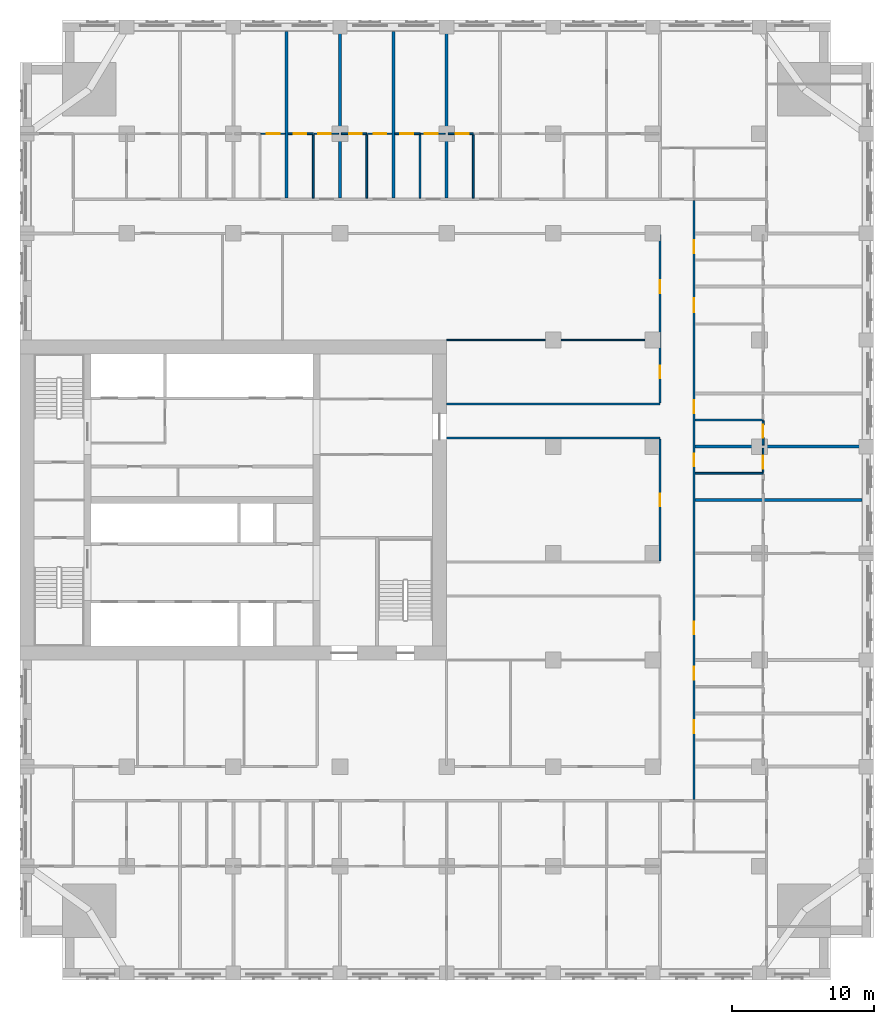
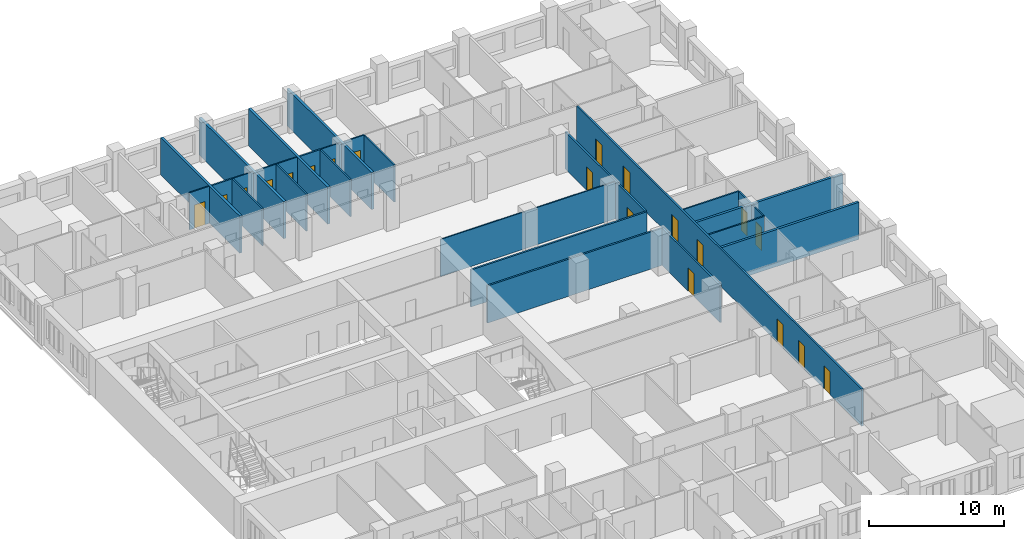
# One storey, part 10 of 15: 28 walls, 20 doors, 20 openings.
"""IFC4 building model written with IfcOpenShell, lengths in metres."""

from ifc_helpers import new_model, si_unit, direction, frame, frame_2d, origin, place, context, subcontext, project, spatial, rectangle, extrude, material, layer, layer_set, type_object, element, fill, save


model = new_model("IFC4")

# Units and contexts
model_context = context("Model", 3, precision=1e-05, world=origin(), true_north=direction((0.0, 1.0)))
body_context = subcontext(model_context, "Body", "Model", "MODEL_VIEW")
ifc_project = project(units=[si_unit("LENGTHUNIT", "METRE"), si_unit("AREAUNIT", "SQUARE_METRE"), si_unit("VOLUMEUNIT", "CUBIC_METRE"), si_unit("PLANEANGLEUNIT", "RADIAN"), si_unit("MASSUNIT", "GRAM", prefix="KILO")], contexts=[model_context])

# Site, building, storey
site_placement = place(None, origin())
site = spatial("IfcSite", under=ifc_project, at=site_placement, CompositionType="ELEMENT")
building_placement = place(site_placement, origin())
building = spatial("IfcBuilding", under=site, at=building_placement, Name="Tamorin Gate", CompositionType="ELEMENT")
storey_placement = place(building_placement, frame((0.0, 0.0, 82.699951171875)))
storey = spatial("IfcBuildingStorey", under=building, at=storey_placement, Name="L19", CompositionType="ELEMENT", Elevation=82.699951171875)

# Wall, opening, door
ifc_material_1 = material(Name="Gypsum board partition")
ifc_layer_1 = layer(ifc_material_1, 0.14990234375)
ifc_layer_set_1 = layer_set([ifc_layer_1], Name="Corridor wall 150")
wall_type_1 = type_object("IfcWallType", Name="Corridor wall 150", PredefinedType="PARTITIONING", material=ifc_layer_set_1)
wall_1_placement = place(storey_placement, frame((75.0, 66.97509765625, 0.0), z_axis=(0.0, 0.0, 1.0), x_axis=(0.0, 1.0, 0.0)))
wall_1 = element("IfcWall", 1, at=wall_1_placement, inside=storey, type_object=wall_type_1, Name="Corridor wall 150", PredefinedType="PARTITIONING", context=body_context, shape_type="SweptSolid", body=[
    extrude(rectangle(XDim=8.5498046875, YDim=0.14990234375, at=frame_2d((4.27490234375, 0.0))), origin(), (0.0, 0.0, 1.0), 3.35009765625),
])
opening_1_placement = place(wall_1_placement, frame((3.824951171875, 0.0, 0.0)))
opening_1 = element("IfcOpeningElement", 2, at=opening_1_placement, cuts=wall_1, Name="Opening DH6096", PredefinedType="OPENING", context=body_context, shape_type="SweptSolid", body=[
    extrude(rectangle(XDim=0.89990234375, YDim=2.10009765625, at=frame_2d((0.449951171875, 1.050048828125))), frame((0.0, 0.0849609375, 0.0), z_axis=(0.0, -1.0, 0.0), x_axis=(1.0, 0.0, 0.0)), (0.0, 0.0, 1.0), 0.169921875),
])
ifc_material_2 = material(Name="Timber door leaf", Category="wood")
door_type_1 = type_object("IfcDoorType", Name="Door 900 x 2100 FD30S", OperationType="NOTDEFINED", PredefinedType="DOOR", material=ifc_material_2)
door_1_placement = place(opening_1_placement, origin())
door_1 = element("IfcDoor", 3, at=door_1_placement, inside=storey, type_object=door_type_1, Name="Door DH6096", OperationType="SINGLE_SWING_LEFT", OverallHeight=2.10009765625, OverallWidth=0.89990234375, PredefinedType="DOOR", context=body_context, shape_type="SweptSolid", body=[
    extrude(rectangle(XDim=0.89990234375, YDim=2.10009765625, at=frame_2d((0.449951171875, 1.050048828125))), frame((0.0, 0.02490234375, 0.0), z_axis=(0.0, -1.0, 0.0), x_axis=(1.0, 0.0, 0.0)), (0.0, 0.0, 1.0), 0.050048828125),
])
fill(opening_1, door_1)

# Wall, openings, doors
wall_2_placement = place(storey_placement, frame((75.0, 78.074951171875, 0.0), z_axis=(0.0, 0.0, 1.0), x_axis=(0.0, 1.0, 0.0)))
wall_2 = element("IfcWall", 4, at=wall_2_placement, inside=storey, type_object=wall_type_1, Name="Corridor wall 150", PredefinedType="PARTITIONING", context=body_context, shape_type="SweptSolid", body=[
    extrude(rectangle(XDim=11.85009765625, YDim=0.14990234375, at=frame_2d((5.925048828125, 0.0))), origin(), (0.0, 0.0, 1.0), 3.35009765625),
])
opening_2_placement = place(wall_2_placement, frame((7.72509765625, 0.0, 0.0)))
opening_2 = element("IfcOpeningElement", 5, at=opening_2_placement, cuts=wall_2, Name="Opening DH6094", PredefinedType="OPENING", context=body_context, shape_type="SweptSolid", body=[
    extrude(rectangle(XDim=0.89990234375, YDim=2.10009765625, at=frame_2d((0.449951171875, 1.050048828125))), frame((0.0, 0.0849609375, 0.0), z_axis=(0.0, -1.0, 0.0), x_axis=(1.0, 0.0, 0.0)), (0.0, 0.0, 1.0), 0.169921875),
])
opening_3_placement = place(wall_2_placement, frame((1.72509765625, 0.0, 0.0)))
opening_3 = element("IfcOpeningElement", 6, at=opening_3_placement, cuts=wall_2, Name="Opening DH6097", PredefinedType="OPENING", context=body_context, shape_type="SweptSolid", body=[
    extrude(rectangle(XDim=0.89990234375, YDim=2.10009765625, at=frame_2d((0.449951171875, 1.050048828125))), frame((0.0, 0.0849609375, 0.0), z_axis=(0.0, -1.0, 0.0), x_axis=(1.0, 0.0, 0.0)), (0.0, 0.0, 1.0), 0.169921875),
])
door_2_placement = place(opening_2_placement, origin())
door_2 = element("IfcDoor", 7, at=door_2_placement, inside=storey, type_object=door_type_1, Name="Door DH6094", OperationType="SINGLE_SWING_LEFT", OverallHeight=2.10009765625, OverallWidth=0.89990234375, PredefinedType="DOOR", context=body_context, shape_type="SweptSolid", body=[
    extrude(rectangle(XDim=0.89990234375, YDim=2.10009765625, at=frame_2d((0.449951171875, 1.050048828125))), frame((0.0, 0.02490234375, 0.0), z_axis=(0.0, -1.0, 0.0), x_axis=(1.0, 0.0, 0.0)), (0.0, 0.0, 1.0), 0.050048828125),
])
fill(opening_2, door_2)
door_3_placement = place(opening_3_placement, origin())
door_3 = element("IfcDoor", 8, at=door_3_placement, inside=storey, type_object=door_type_1, Name="Door DH6097", OperationType="SINGLE_SWING_LEFT", OverallHeight=2.10009765625, OverallWidth=0.89990234375, PredefinedType="DOOR", context=body_context, shape_type="SweptSolid", body=[
    extrude(rectangle(XDim=0.89990234375, YDim=2.10009765625, at=frame_2d((0.449951171875, 1.050048828125))), frame((0.0, 0.02490234375, 0.0), z_axis=(0.0, -1.0, 0.0), x_axis=(1.0, 0.0, 0.0)), (0.0, 0.0, 1.0), 0.050048828125),
])
fill(opening_3, door_3)

wall_3_placement = place(storey_placement, frame((77.39990234375, 50.175048828125, 0.0), z_axis=(0.0, 0.0, 1.0), x_axis=(0.0, 1.0, 0.0)))
wall_3 = element("IfcWall", 9, at=wall_3_placement, inside=storey, type_object=wall_type_1, Name="Corridor wall 150", PredefinedType="PARTITIONING", context=body_context, shape_type="SweptSolid", body=[
    extrude(rectangle(XDim=42.14990234375, YDim=0.14990234375, at=frame_2d((21.074951171875, 0.0))), origin(), (0.0, 0.0, 1.0), 3.35009765625),
])
opening_4_placement = place(wall_3_placement, frame((4.6875, 0.0, 0.0)))
opening_4 = element("IfcOpeningElement", 10, at=opening_4_placement, cuts=wall_3, Name="Opening DH6052", PredefinedType="OPENING", context=body_context, shape_type="SweptSolid", body=[
    extrude(rectangle(XDim=0.89990234375, YDim=2.10009765625, at=frame_2d((0.449951171875, 1.050048828125))), frame((0.0, 0.0849609375, 0.0), z_axis=(0.0, -1.0, 0.0), x_axis=(1.0, 0.0, 0.0)), (0.0, 0.0, 1.0), 0.169921875),
])
opening_5_placement = place(wall_3_placement, frame((8.4375, 0.0, 0.0)))
opening_5 = element("IfcOpeningElement", 11, at=opening_5_placement, cuts=wall_3, Name="Opening DH6055", PredefinedType="OPENING", context=body_context, shape_type="SweptSolid", body=[
    extrude(rectangle(XDim=0.89990234375, YDim=2.10009765625, at=frame_2d((0.449951171875, 1.050048828125))), frame((0.0, 0.0849609375, 0.0), z_axis=(0.0, -1.0, 0.0), x_axis=(1.0, 0.0, 0.0)), (0.0, 0.0, 1.0), 0.169921875),
])
opening_6_placement = place(wall_3_placement, frame((11.625, 0.0, 0.0)))
opening_6 = element("IfcOpeningElement", 12, at=opening_6_placement, cuts=wall_3, Name="Opening DH6057", PredefinedType="OPENING", context=body_context, shape_type="SweptSolid", body=[
    extrude(rectangle(XDim=0.89990234375, YDim=2.10009765625, at=frame_2d((0.449951171875, 1.050048828125))), frame((0.0, 0.0849609375, 0.0), z_axis=(0.0, -1.0, 0.0), x_axis=(1.0, 0.0, 0.0)), (0.0, 0.0, 1.0), 0.169921875),
])
opening_7_placement = place(wall_3_placement, frame((23.4375, 0.0, 0.0)))
opening_7 = element("IfcOpeningElement", 13, at=opening_7_placement, cuts=wall_3, Name="Opening DH6063", PredefinedType="OPENING", context=body_context, shape_type="SweptSolid", body=[
    extrude(rectangle(XDim=0.89990234375, YDim=2.10009765625, at=frame_2d((0.449951171875, 1.050048828125))), frame((0.0, 0.0849609375, 0.0), z_axis=(0.0, -1.0, 0.0), x_axis=(1.0, 0.0, 0.0)), (0.0, 0.0, 1.0), 0.169921875),
])
opening_8_placement = place(wall_3_placement, frame((27.1875, 0.0, 0.0)))
opening_8 = element("IfcOpeningElement", 14, at=opening_8_placement, cuts=wall_3, Name="Opening DH6066", PredefinedType="OPENING", context=body_context, shape_type="SweptSolid", body=[
    extrude(rectangle(XDim=0.89990234375, YDim=2.10009765625, at=frame_2d((0.449951171875, 1.050048828125))), frame((0.0, 0.0849609375, 0.0), z_axis=(0.0, -1.0, 0.0), x_axis=(1.0, 0.0, 0.0)), (0.0, 0.0, 1.0), 0.169921875),
])
opening_9_placement = place(wall_3_placement, frame((34.262451171875, 0.0, 0.0)))
opening_9 = element("IfcOpeningElement", 15, at=opening_9_placement, cuts=wall_3, Name="Opening DH6069", PredefinedType="OPENING", context=body_context, shape_type="SweptSolid", body=[
    extrude(rectangle(XDim=1.0, YDim=2.10009765625, at=frame_2d((0.5, 1.050048828125))), frame((0.0, 0.0849609375, 0.0), z_axis=(0.0, -1.0, 0.0), x_axis=(1.0, 0.0, 0.0)), (0.0, 0.0, 1.0), 0.169921875),
])
opening_10_placement = place(wall_3_placement, frame((38.4375, 0.0, 0.0)))
opening_10 = element("IfcOpeningElement", 16, at=opening_10_placement, cuts=wall_3, Name="Opening DH6072", PredefinedType="OPENING", context=body_context, shape_type="SweptSolid", body=[
    extrude(rectangle(XDim=0.89990234375, YDim=2.10009765625, at=frame_2d((0.449951171875, 1.050048828125))), frame((0.0, 0.0849609375, 0.0), z_axis=(0.0, -1.0, 0.0), x_axis=(1.0, 0.0, 0.0)), (0.0, 0.0, 1.0), 0.169921875),
])
door_type_2 = type_object("IfcDoorType", Name="Door 1000 x 2100 FD30S", OperationType="NOTDEFINED", PredefinedType="DOOR", material=ifc_material_2)
door_4_placement = place(opening_9_placement, origin())
door_4 = element("IfcDoor", 17, at=door_4_placement, inside=storey, type_object=door_type_2, Name="Door DH6069", OperationType="SINGLE_SWING_RIGHT", OverallHeight=2.10009765625, OverallWidth=1.0, PredefinedType="DOOR", context=body_context, shape_type="SweptSolid", body=[
    extrude(rectangle(XDim=1.0, YDim=2.10009765625, at=frame_2d((0.5, 1.050048828125))), frame((0.0, 0.02490234375, 0.0), z_axis=(0.0, -1.0, 0.0), x_axis=(1.0, 0.0, 0.0)), (0.0, 0.0, 1.0), 0.050048828125),
])
fill(opening_9, door_4)
door_5_placement = place(opening_4_placement, origin())
door_5 = element("IfcDoor", 18, at=door_5_placement, inside=storey, type_object=door_type_1, Name="Door DH6052", OperationType="SINGLE_SWING_RIGHT", OverallHeight=2.10009765625, OverallWidth=0.89990234375, PredefinedType="DOOR", context=body_context, shape_type="SweptSolid", body=[
    extrude(rectangle(XDim=0.89990234375, YDim=2.10009765625, at=frame_2d((0.449951171875, 1.050048828125))), frame((0.0, 0.02490234375, 0.0), z_axis=(0.0, -1.0, 0.0), x_axis=(1.0, 0.0, 0.0)), (0.0, 0.0, 1.0), 0.050048828125),
])
fill(opening_4, door_5)
door_6_placement = place(opening_5_placement, origin())
door_6 = element("IfcDoor", 19, at=door_6_placement, inside=storey, type_object=door_type_1, Name="Door DH6055", OperationType="SINGLE_SWING_RIGHT", OverallHeight=2.10009765625, OverallWidth=0.89990234375, PredefinedType="DOOR", context=body_context, shape_type="SweptSolid", body=[
    extrude(rectangle(XDim=0.89990234375, YDim=2.10009765625, at=frame_2d((0.449951171875, 1.050048828125))), frame((0.0, 0.02490234375, 0.0), z_axis=(0.0, -1.0, 0.0), x_axis=(1.0, 0.0, 0.0)), (0.0, 0.0, 1.0), 0.050048828125),
])
fill(opening_5, door_6)
door_7_placement = place(opening_6_placement, origin())
door_7 = element("IfcDoor", 20, at=door_7_placement, inside=storey, type_object=door_type_1, Name="Door DH6057", OperationType="SINGLE_SWING_RIGHT", OverallHeight=2.10009765625, OverallWidth=0.89990234375, PredefinedType="DOOR", context=body_context, shape_type="SweptSolid", body=[
    extrude(rectangle(XDim=0.89990234375, YDim=2.10009765625, at=frame_2d((0.449951171875, 1.050048828125))), frame((0.0, 0.02490234375, 0.0), z_axis=(0.0, -1.0, 0.0), x_axis=(1.0, 0.0, 0.0)), (0.0, 0.0, 1.0), 0.050048828125),
])
fill(opening_6, door_7)
door_8_placement = place(opening_7_placement, origin())
door_8 = element("IfcDoor", 21, at=door_8_placement, inside=storey, type_object=door_type_1, Name="Door DH6063", OperationType="SINGLE_SWING_RIGHT", OverallHeight=2.10009765625, OverallWidth=0.89990234375, PredefinedType="DOOR", context=body_context, shape_type="SweptSolid", body=[
    extrude(rectangle(XDim=0.89990234375, YDim=2.10009765625, at=frame_2d((0.449951171875, 1.050048828125))), frame((0.0, 0.02490234375, 0.0), z_axis=(0.0, -1.0, 0.0), x_axis=(1.0, 0.0, 0.0)), (0.0, 0.0, 1.0), 0.050048828125),
])
fill(opening_7, door_8)
door_9_placement = place(opening_8_placement, origin())
door_9 = element("IfcDoor", 22, at=door_9_placement, inside=storey, type_object=door_type_1, Name="Door DH6066", OperationType="SINGLE_SWING_RIGHT", OverallHeight=2.10009765625, OverallWidth=0.89990234375, PredefinedType="DOOR", context=body_context, shape_type="SweptSolid", body=[
    extrude(rectangle(XDim=0.89990234375, YDim=2.10009765625, at=frame_2d((0.449951171875, 1.050048828125))), frame((0.0, 0.02490234375, 0.0), z_axis=(0.0, -1.0, 0.0), x_axis=(1.0, 0.0, 0.0)), (0.0, 0.0, 1.0), 0.050048828125),
])
fill(opening_8, door_9)
door_10_placement = place(opening_10_placement, origin())
door_10 = element("IfcDoor", 23, at=door_10_placement, inside=storey, type_object=door_type_1, Name="Door DH6072", OperationType="SINGLE_SWING_RIGHT", OverallHeight=2.10009765625, OverallWidth=0.89990234375, PredefinedType="DOOR", context=body_context, shape_type="SweptSolid", body=[
    extrude(rectangle(XDim=0.89990234375, YDim=2.10009765625, at=frame_2d((0.449951171875, 1.050048828125))), frame((0.0, 0.02490234375, 0.0), z_axis=(0.0, -1.0, 0.0), x_axis=(1.0, 0.0, 0.0)), (0.0, 0.0, 1.0), 0.050048828125),
])
fill(opening_10, door_10)

# Walls
ifc_layer_2 = layer(ifc_material_1, 0.199951171875)
ifc_layer_set_2 = layer_set([ifc_layer_2], Name="Demising wall 200")
wall_type_2 = type_object("IfcWallType", Name="Demising wall 200", PredefinedType="PARTITIONING", material=ifc_layer_set_2)
wall_4_placement = place(storey_placement, frame((77.47509765625, 71.25, 0.0), z_axis=(0.0, 0.0, 1.0), x_axis=(1.0, 0.0, 0.0)))
element("IfcWall", 24, at=wall_4_placement, inside=storey, type_object=wall_type_2, Name="Demising wall 200", PredefinedType="PARTITIONING", context=body_context, shape_type="SweptSolid", body=[
    extrude(rectangle(XDim=11.71484375, YDim=0.199951171875, at=frame_2d((5.857421875, 0.0))), origin(), (0.0, 0.0, 1.0), 3.35009765625),
])
wall_5_placement = place(storey_placement, frame((77.47509765625, 75.0, 0.0), z_axis=(0.0, 0.0, 1.0), x_axis=(1.0, 0.0, 0.0)))
element("IfcWall", 25, at=wall_5_placement, inside=storey, type_object=wall_type_2, Name="Demising wall 200", PredefinedType="PARTITIONING", context=body_context, shape_type="SweptSolid", body=[
    extrude(rectangle(XDim=12.52490234375, YDim=0.199951171875, at=frame_2d((6.262451171875, 0.0))), origin(), (0.0, 0.0, 1.0), 3.35009765625),
])
wall_6_placement = place(storey_placement, frame((48.75, 92.47509765625, 0.0), z_axis=(0.0, 0.0, 1.0), x_axis=(0.0, 1.0, 0.0)))
element("IfcWall", 26, at=wall_6_placement, inside=storey, type_object=wall_type_2, Name="Demising wall 200", PredefinedType="PARTITIONING", context=body_context, shape_type="SweptSolid", body=[
    extrude(rectangle(XDim=11.71484375, YDim=0.199951171875, at=frame_2d((5.857421875, 0.0))), origin(), (0.0, 0.0, 1.0), 3.35009765625),
])
wall_7_placement = place(storey_placement, frame((52.5, 92.47509765625, 0.0), z_axis=(0.0, 0.0, 1.0), x_axis=(0.0, 1.0, 0.0)))
element("IfcWall", 27, at=wall_7_placement, inside=storey, type_object=wall_type_2, Name="Demising wall 200", PredefinedType="PARTITIONING", context=body_context, shape_type="SweptSolid", body=[
    extrude(rectangle(XDim=12.52490234375, YDim=0.199951171875, at=frame_2d((6.262451171875, 0.0))), origin(), (0.0, 0.0, 1.0), 3.35009765625),
])
wall_8_placement = place(storey_placement, frame((56.25, 92.47509765625, 0.0), z_axis=(0.0, 0.0, 1.0), x_axis=(0.0, 1.0, 0.0)))
element("IfcWall", 28, at=wall_8_placement, inside=storey, type_object=wall_type_2, Name="Demising wall 200", PredefinedType="PARTITIONING", context=body_context, shape_type="SweptSolid", body=[
    extrude(rectangle(XDim=11.71484375, YDim=0.199951171875, at=frame_2d((5.857421875, 0.0))), origin(), (0.0, 0.0, 1.0), 3.35009765625),
])
wall_9_placement = place(storey_placement, frame((60.0, 92.47509765625, 0.0), z_axis=(0.0, 0.0, 1.0), x_axis=(0.0, 1.0, 0.0)))
element("IfcWall", 29, at=wall_9_placement, inside=storey, type_object=wall_type_2, Name="Demising wall 200", PredefinedType="PARTITIONING", context=body_context, shape_type="SweptSolid", body=[
    extrude(rectangle(XDim=12.52490234375, YDim=0.199951171875, at=frame_2d((6.262451171875, 0.0))), origin(), (0.0, 0.0, 1.0), 3.35009765625),
])
ifc_layer_3 = layer(ifc_material_1, 0.14990234375)
ifc_layer_set_3 = layer_set([ifc_layer_3], Name="Lobby wall 150")
wall_type_3 = type_object("IfcWallType", Name="Lobby wall 150", PredefinedType="PARTITIONING", material=ifc_layer_set_3)
for number, where, z_axis, x_axis, name in (
    (30, (60.0, 75.60009765625, 0.0), (0.0, 0.0, 1.0), (1.0, 0.0, 0.0), "Lobby wall 150"),
    (31, (60.0, 78.0, 0.0), (0.0, 0.0, 1.0), (1.0, 0.0, 0.0), "Lobby wall 150"),
):
    element("IfcWall", number, at=place(storey_placement, frame(where, z_axis=z_axis, x_axis=x_axis)), inside=storey, type_object=wall_type_3, Name=name, PredefinedType="PARTITIONING", context=body_context, shape_type="SweptSolid", body=[
        extrude(rectangle(XDim=15.0, YDim=0.14990234375, at=frame_2d((7.5, 0.0))), origin(), (0.0, 0.0, 1.0), 3.35009765625),
    ])
ifc_layer_4 = layer(ifc_material_1, 0.10009765625)
ifc_layer_set_4 = layer_set([ifc_layer_4], Name="Room partition 100")
wall_type_4 = type_object("IfcWallType", Name="Room partition 100", PredefinedType="PARTITIONING", material=ifc_layer_set_4)
wall_10_placement = place(storey_placement, frame((60.0, 82.5, 0.0), z_axis=(0.0, 0.0, 1.0), x_axis=(1.0, 0.0, 0.0)))
element("IfcWall", 32, at=wall_10_placement, inside=storey, type_object=wall_type_4, Name="Room partition 100", PredefinedType="PARTITIONING", context=body_context, shape_type="SweptSolid", body=[
    extrude(rectangle(XDim=14.925048828125, YDim=0.10009765625, at=frame_2d((7.46240234375, 0.0))), origin(), (0.0, 0.0, 1.0), 3.35009765625),
])

# Wall, opening, door
wall_11_placement = place(storey_placement, frame((46.9375, 97.0, 0.0), z_axis=(0.0, 0.0, 1.0), x_axis=(1.0, 0.0, 0.0)))
wall_11 = element("IfcWall", 33, at=wall_11_placement, inside=storey, type_object=wall_type_4, Name="Room partition 100", PredefinedType="PARTITIONING", context=body_context, shape_type="SweptSolid", body=[
    extrude(rectangle(XDim=1.71240234375, YDim=0.10009765625, at=frame_2d((0.856201171875, 0.0))), origin(), (0.0, 0.0, 1.0), 3.35009765625),
])
opening_11_placement = place(wall_11_placement, frame((0.425048828125, 0.0, 0.0)))
opening_11 = element("IfcOpeningElement", 34, at=opening_11_placement, cuts=wall_11, Name="Opening DH6033", PredefinedType="OPENING", context=body_context, shape_type="SweptSolid", body=[
    extrude(rectangle(XDim=0.89990234375, YDim=2.10009765625, at=frame_2d((0.449951171875, 1.050048828125))), frame((0.0, 0.06005859375, 0.0), z_axis=(0.0, -1.0, 0.0), x_axis=(1.0, 0.0, 0.0)), (0.0, 0.0, 1.0), 0.1201171875),
])
door_type_3 = type_object("IfcDoorType", Name="Door 900 x 2100", OperationType="NOTDEFINED", PredefinedType="DOOR", material=ifc_material_2)
door_11_placement = place(opening_11_placement, origin())
door_11 = element("IfcDoor", 35, at=door_11_placement, inside=storey, type_object=door_type_3, Name="Door DH6033", OperationType="SINGLE_SWING_RIGHT", OverallHeight=2.10009765625, OverallWidth=0.89990234375, PredefinedType="DOOR", context=body_context, shape_type="SweptSolid", body=[
    extrude(rectangle(XDim=0.89990234375, YDim=2.10009765625, at=frame_2d((0.449951171875, 1.050048828125))), frame((0.0, 0.02490234375, 0.0), z_axis=(0.0, -1.0, 0.0), x_axis=(1.0, 0.0, 0.0)), (0.0, 0.0, 1.0), 0.050048828125),
])
fill(opening_11, door_11)

wall_12_placement = place(storey_placement, frame((50.6875, 97.0, 0.0), z_axis=(0.0, 0.0, 1.0), x_axis=(1.0, 0.0, 0.0)))
wall_12 = element("IfcWall", 36, at=wall_12_placement, inside=storey, type_object=wall_type_4, Name="Room partition 100", PredefinedType="PARTITIONING", context=body_context, shape_type="SweptSolid", body=[
    extrude(rectangle(XDim=1.71240234375, YDim=0.10009765625, at=frame_2d((0.856201171875, 0.0))), origin(), (0.0, 0.0, 1.0), 3.35009765625),
])
opening_12_placement = place(wall_12_placement, frame((0.27490234375, 0.0, 0.0)))
opening_12 = element("IfcOpeningElement", 37, at=opening_12_placement, cuts=wall_12, Name="Opening DH6036", PredefinedType="OPENING", context=body_context, shape_type="SweptSolid", body=[
    extrude(rectangle(XDim=0.89990234375, YDim=2.10009765625, at=frame_2d((0.449951171875, 1.050048828125))), frame((0.0, 0.06005859375, 0.0), z_axis=(0.0, -1.0, 0.0), x_axis=(1.0, 0.0, 0.0)), (0.0, 0.0, 1.0), 0.1201171875),
])
door_12_placement = place(opening_12_placement, origin())
door_12 = element("IfcDoor", 38, at=door_12_placement, inside=storey, type_object=door_type_3, Name="Door DH6036", OperationType="SINGLE_SWING_RIGHT", OverallHeight=2.10009765625, OverallWidth=0.89990234375, PredefinedType="DOOR", context=body_context, shape_type="SweptSolid", body=[
    extrude(rectangle(XDim=0.89990234375, YDim=2.10009765625, at=frame_2d((0.449951171875, 1.050048828125))), frame((0.0, 0.02490234375, 0.0), z_axis=(0.0, -1.0, 0.0), x_axis=(1.0, 0.0, 0.0)), (0.0, 0.0, 1.0), 0.050048828125),
])
fill(opening_12, door_12)

wall_13_placement = place(storey_placement, frame((54.4375, 97.0, 0.0), z_axis=(0.0, 0.0, 1.0), x_axis=(1.0, 0.0, 0.0)))
wall_13 = element("IfcWall", 39, at=wall_13_placement, inside=storey, type_object=wall_type_4, Name="Room partition 100", PredefinedType="PARTITIONING", context=body_context, shape_type="SweptSolid", body=[
    extrude(rectangle(XDim=1.71240234375, YDim=0.10009765625, at=frame_2d((0.856201171875, 0.0))), origin(), (0.0, 0.0, 1.0), 3.35009765625),
])
opening_13_placement = place(wall_13_placement, frame((0.425048828125, 0.0, 0.0)))
opening_13 = element("IfcOpeningElement", 40, at=opening_13_placement, cuts=wall_13, Name="Opening DH6039", PredefinedType="OPENING", context=body_context, shape_type="SweptSolid", body=[
    extrude(rectangle(XDim=0.89990234375, YDim=2.10009765625, at=frame_2d((0.449951171875, 1.050048828125))), frame((0.0, 0.06005859375, 0.0), z_axis=(0.0, -1.0, 0.0), x_axis=(1.0, 0.0, 0.0)), (0.0, 0.0, 1.0), 0.1201171875),
])
door_13_placement = place(opening_13_placement, origin())
door_13 = element("IfcDoor", 41, at=door_13_placement, inside=storey, type_object=door_type_3, Name="Door DH6039", OperationType="SINGLE_SWING_RIGHT", OverallHeight=2.10009765625, OverallWidth=0.89990234375, PredefinedType="DOOR", context=body_context, shape_type="SweptSolid", body=[
    extrude(rectangle(XDim=0.89990234375, YDim=2.10009765625, at=frame_2d((0.449951171875, 1.050048828125))), frame((0.0, 0.02490234375, 0.0), z_axis=(0.0, -1.0, 0.0), x_axis=(1.0, 0.0, 0.0)), (0.0, 0.0, 1.0), 0.050048828125),
])
fill(opening_13, door_13)

wall_14_placement = place(storey_placement, frame((58.1875, 97.0, 0.0), z_axis=(0.0, 0.0, 1.0), x_axis=(1.0, 0.0, 0.0)))
wall_14 = element("IfcWall", 42, at=wall_14_placement, inside=storey, type_object=wall_type_4, Name="Room partition 100", PredefinedType="PARTITIONING", context=body_context, shape_type="SweptSolid", body=[
    extrude(rectangle(XDim=1.71240234375, YDim=0.10009765625, at=frame_2d((0.856201171875, 0.0))), origin(), (0.0, 0.0, 1.0), 3.35009765625),
])
opening_14_placement = place(wall_14_placement, frame((0.27490234375, 0.0, 0.0)))
opening_14 = element("IfcOpeningElement", 43, at=opening_14_placement, cuts=wall_14, Name="Opening DH6042", PredefinedType="OPENING", context=body_context, shape_type="SweptSolid", body=[
    extrude(rectangle(XDim=0.89990234375, YDim=2.10009765625, at=frame_2d((0.449951171875, 1.050048828125))), frame((0.0, 0.06005859375, 0.0), z_axis=(0.0, -1.0, 0.0), x_axis=(1.0, 0.0, 0.0)), (0.0, 0.0, 1.0), 0.1201171875),
])
door_14_placement = place(opening_14_placement, origin())
door_14 = element("IfcDoor", 44, at=door_14_placement, inside=storey, type_object=door_type_3, Name="Door DH6042", OperationType="SINGLE_SWING_RIGHT", OverallHeight=2.10009765625, OverallWidth=0.89990234375, PredefinedType="DOOR", context=body_context, shape_type="SweptSolid", body=[
    extrude(rectangle(XDim=0.89990234375, YDim=2.10009765625, at=frame_2d((0.449951171875, 1.050048828125))), frame((0.0, 0.02490234375, 0.0), z_axis=(0.0, -1.0, 0.0), x_axis=(1.0, 0.0, 0.0)), (0.0, 0.0, 1.0), 0.050048828125),
])
fill(opening_14, door_14)

wall_15_placement = place(storey_placement, frame((82.25, 73.1875, 0.0), z_axis=(0.0, 0.0, 1.0), x_axis=(0.0, 1.0, 0.0)))
wall_15 = element("IfcWall", 45, at=wall_15_placement, inside=storey, type_object=wall_type_4, Name="Room partition 100", PredefinedType="PARTITIONING", context=body_context, shape_type="SweptSolid", body=[
    extrude(rectangle(XDim=1.71240234375, YDim=0.10009765625, at=frame_2d((0.856201171875, 0.0))), origin(), (0.0, 0.0, 1.0), 3.35009765625),
])
opening_15_placement = place(wall_15_placement, frame((0.27490234375, 0.0, 0.0)))
opening_15 = element("IfcOpeningElement", 46, at=opening_15_placement, cuts=wall_15, Name="Opening DH6064", PredefinedType="OPENING", context=body_context, shape_type="SweptSolid", body=[
    extrude(rectangle(XDim=0.89990234375, YDim=2.10009765625, at=frame_2d((0.449951171875, 1.050048828125))), frame((0.0, 0.06005859375, 0.0), z_axis=(0.0, -1.0, 0.0), x_axis=(1.0, 0.0, 0.0)), (0.0, 0.0, 1.0), 0.1201171875),
])
door_15_placement = place(opening_15_placement, origin())
door_15 = element("IfcDoor", 47, at=door_15_placement, inside=storey, type_object=door_type_3, Name="Door DH6064", OperationType="SINGLE_SWING_LEFT", OverallHeight=2.10009765625, OverallWidth=0.89990234375, PredefinedType="DOOR", context=body_context, shape_type="SweptSolid", body=[
    extrude(rectangle(XDim=0.89990234375, YDim=2.10009765625, at=frame_2d((0.449951171875, 1.050048828125))), frame((0.0, 0.02490234375, 0.0), z_axis=(0.0, -1.0, 0.0), x_axis=(1.0, 0.0, 0.0)), (0.0, 0.0, 1.0), 0.050048828125),
])
fill(opening_15, door_15)

# Walls
ifc_layer_5 = layer(ifc_material_1, 0.125)
ifc_layer_set_5 = layer_set([ifc_layer_5], Name="Wet wall 125")
wall_type_5 = type_object("IfcWallType", Name="Wet wall 125", PredefinedType="PARTITIONING", material=ifc_layer_set_5)
for number, where, z_axis, x_axis, name in (
    (48, (77.47509765625, 73.125, 0.0), (0.0, 0.0, 1.0), (1.0, 0.0, 0.0), "Wet wall 125"),
    (49, (77.47509765625, 76.875, 0.0), (0.0, 0.0, 1.0), (1.0, 0.0, 0.0), "Wet wall 125"),
):
    element("IfcWall", number, at=place(storey_placement, frame(where, z_axis=z_axis, x_axis=x_axis)), inside=storey, type_object=wall_type_5, Name=name, PredefinedType="PARTITIONING", context=body_context, shape_type="SweptSolid", body=[
        extrude(rectangle(XDim=4.77490234375, YDim=0.125, at=frame_2d((2.387451171875, 0.0))), origin(), (0.0, 0.0, 1.0), 3.35009765625),
    ])

# Wall, opening, door
wall_16_placement = place(storey_placement, frame((48.85009765625, 97.0, 0.0), z_axis=(0.0, 0.0, 1.0), x_axis=(1.0, 0.0, 0.0)))
wall_16 = element("IfcWall", 50, at=wall_16_placement, inside=storey, type_object=wall_type_5, Name="Wet wall 125", PredefinedType="PARTITIONING", context=body_context, shape_type="SweptSolid", body=[
    extrude(rectangle(XDim=1.77490234375, YDim=0.125, at=frame_2d((0.887451171875, 0.0))), origin(), (0.0, 0.0, 1.0), 3.35009765625),
])
opening_16_placement = place(wall_16_placement, frame((0.387451171875, 0.0, 0.0)))
opening_16 = element("IfcOpeningElement", 51, at=opening_16_placement, cuts=wall_16, Name="Opening DH6034", PredefinedType="OPENING", context=body_context, shape_type="SweptSolid", body=[
    extrude(rectangle(XDim=0.89990234375, YDim=2.10009765625, at=frame_2d((0.449951171875, 1.050048828125))), frame((0.0, 0.072509765625, 0.0), z_axis=(0.0, -1.0, 0.0), x_axis=(1.0, 0.0, 0.0)), (0.0, 0.0, 1.0), 0.14501953125),
])
door_16_placement = place(opening_16_placement, origin())
door_16 = element("IfcDoor", 52, at=door_16_placement, inside=storey, type_object=door_type_3, Name="Door DH6034", OperationType="SINGLE_SWING_RIGHT", OverallHeight=2.10009765625, OverallWidth=0.89990234375, PredefinedType="DOOR", context=body_context, shape_type="SweptSolid", body=[
    extrude(rectangle(XDim=0.89990234375, YDim=2.10009765625, at=frame_2d((0.449951171875, 1.050048828125))), frame((0.0, 0.02490234375, 0.0), z_axis=(0.0, -1.0, 0.0), x_axis=(1.0, 0.0, 0.0)), (0.0, 0.0, 1.0), 0.050048828125),
])
fill(opening_16, door_16)

wall_17_placement = place(storey_placement, frame((52.60009765625, 97.0, 0.0), z_axis=(0.0, 0.0, 1.0), x_axis=(1.0, 0.0, 0.0)))
wall_17 = element("IfcWall", 53, at=wall_17_placement, inside=storey, type_object=wall_type_5, Name="Wet wall 125", PredefinedType="PARTITIONING", context=body_context, shape_type="SweptSolid", body=[
    extrude(rectangle(XDim=1.77490234375, YDim=0.125, at=frame_2d((0.887451171875, 0.0))), origin(), (0.0, 0.0, 1.0), 3.35009765625),
])
opening_17_placement = place(wall_17_placement, frame((0.53759765625, 0.0, 0.0)))
opening_17 = element("IfcOpeningElement", 54, at=opening_17_placement, cuts=wall_17, Name="Opening DH6037", PredefinedType="OPENING", context=body_context, shape_type="SweptSolid", body=[
    extrude(rectangle(XDim=0.89990234375, YDim=2.10009765625, at=frame_2d((0.449951171875, 1.050048828125))), frame((0.0, 0.072509765625, 0.0), z_axis=(0.0, -1.0, 0.0), x_axis=(1.0, 0.0, 0.0)), (0.0, 0.0, 1.0), 0.14501953125),
])
door_17_placement = place(opening_17_placement, origin())
door_17 = element("IfcDoor", 55, at=door_17_placement, inside=storey, type_object=door_type_3, Name="Door DH6037", OperationType="SINGLE_SWING_LEFT", OverallHeight=2.10009765625, OverallWidth=0.89990234375, PredefinedType="DOOR", context=body_context, shape_type="SweptSolid", body=[
    extrude(rectangle(XDim=0.89990234375, YDim=2.10009765625, at=frame_2d((0.449951171875, 1.050048828125))), frame((0.0, 0.02490234375, 0.0), z_axis=(0.0, -1.0, 0.0), x_axis=(1.0, 0.0, 0.0)), (0.0, 0.0, 1.0), 0.050048828125),
])
fill(opening_17, door_17)

wall_18_placement = place(storey_placement, frame((56.35009765625, 97.0, 0.0), z_axis=(0.0, 0.0, 1.0), x_axis=(1.0, 0.0, 0.0)))
wall_18 = element("IfcWall", 56, at=wall_18_placement, inside=storey, type_object=wall_type_5, Name="Wet wall 125", PredefinedType="PARTITIONING", context=body_context, shape_type="SweptSolid", body=[
    extrude(rectangle(XDim=1.77490234375, YDim=0.125, at=frame_2d((0.887451171875, 0.0))), origin(), (0.0, 0.0, 1.0), 3.35009765625),
])
opening_18_placement = place(wall_18_placement, frame((0.387451171875, 0.0, 0.0)))
opening_18 = element("IfcOpeningElement", 57, at=opening_18_placement, cuts=wall_18, Name="Opening DH6040", PredefinedType="OPENING", context=body_context, shape_type="SweptSolid", body=[
    extrude(rectangle(XDim=0.89990234375, YDim=2.10009765625, at=frame_2d((0.449951171875, 1.050048828125))), frame((0.0, 0.072509765625, 0.0), z_axis=(0.0, -1.0, 0.0), x_axis=(1.0, 0.0, 0.0)), (0.0, 0.0, 1.0), 0.14501953125),
])
door_18_placement = place(opening_18_placement, origin())
door_18 = element("IfcDoor", 58, at=door_18_placement, inside=storey, type_object=door_type_3, Name="Door DH6040", OperationType="SINGLE_SWING_RIGHT", OverallHeight=2.10009765625, OverallWidth=0.89990234375, PredefinedType="DOOR", context=body_context, shape_type="SweptSolid", body=[
    extrude(rectangle(XDim=0.89990234375, YDim=2.10009765625, at=frame_2d((0.449951171875, 1.050048828125))), frame((0.0, 0.02490234375, 0.0), z_axis=(0.0, -1.0, 0.0), x_axis=(1.0, 0.0, 0.0)), (0.0, 0.0, 1.0), 0.050048828125),
])
fill(opening_18, door_18)

wall_19_placement = place(storey_placement, frame((60.10009765625, 97.0, 0.0), z_axis=(0.0, 0.0, 1.0), x_axis=(1.0, 0.0, 0.0)))
wall_19 = element("IfcWall", 59, at=wall_19_placement, inside=storey, type_object=wall_type_5, Name="Wet wall 125", PredefinedType="PARTITIONING", context=body_context, shape_type="SweptSolid", body=[
    extrude(rectangle(XDim=1.77490234375, YDim=0.125, at=frame_2d((0.887451171875, 0.0))), origin(), (0.0, 0.0, 1.0), 3.35009765625),
])
opening_19_placement = place(wall_19_placement, frame((0.53759765625, 0.0, 0.0)))
opening_19 = element("IfcOpeningElement", 60, at=opening_19_placement, cuts=wall_19, Name="Opening DH6043", PredefinedType="OPENING", context=body_context, shape_type="SweptSolid", body=[
    extrude(rectangle(XDim=0.89990234375, YDim=2.10009765625, at=frame_2d((0.449951171875, 1.050048828125))), frame((0.0, 0.072509765625, 0.0), z_axis=(0.0, -1.0, 0.0), x_axis=(1.0, 0.0, 0.0)), (0.0, 0.0, 1.0), 0.14501953125),
])
door_19_placement = place(opening_19_placement, origin())
door_19 = element("IfcDoor", 61, at=door_19_placement, inside=storey, type_object=door_type_3, Name="Door DH6043", OperationType="SINGLE_SWING_LEFT", OverallHeight=2.10009765625, OverallWidth=0.89990234375, PredefinedType="DOOR", context=body_context, shape_type="SweptSolid", body=[
    extrude(rectangle(XDim=0.89990234375, YDim=2.10009765625, at=frame_2d((0.449951171875, 1.050048828125))), frame((0.0, 0.02490234375, 0.0), z_axis=(0.0, -1.0, 0.0), x_axis=(1.0, 0.0, 0.0)), (0.0, 0.0, 1.0), 0.050048828125),
])
fill(opening_19, door_19)

# Walls
for number, where, z_axis, x_axis, name in (
    (62, (50.625, 92.47509765625, 0.0), (0.0, 0.0, 1.0), (0.0, 1.0, 0.0), "Wet wall 125"),
    (63, (54.375, 92.47509765625, 0.0), (0.0, 0.0, 1.0), (0.0, 1.0, 0.0), "Wet wall 125"),
    (64, (58.125, 92.47509765625, 0.0), (0.0, 0.0, 1.0), (0.0, 1.0, 0.0), "Wet wall 125"),
    (65, (61.875, 92.47509765625, 0.0), (0.0, 0.0, 1.0), (0.0, 1.0, 0.0), "Wet wall 125"),
):
    element("IfcWall", number, at=place(storey_placement, frame(where, z_axis=z_axis, x_axis=x_axis)), inside=storey, type_object=wall_type_5, Name=name, PredefinedType="PARTITIONING", context=body_context, shape_type="SweptSolid", body=[
        extrude(rectangle(XDim=4.46240234375, YDim=0.125, at=frame_2d((2.231201171875, 0.0))), origin(), (0.0, 0.0, 1.0), 3.35009765625),
    ])

# Wall, opening, door
wall_20_placement = place(storey_placement, frame((82.25, 75.10009765625, 0.0), z_axis=(0.0, 0.0, 1.0), x_axis=(0.0, 1.0, 0.0)))
wall_20 = element("IfcWall", 66, at=wall_20_placement, inside=storey, type_object=wall_type_5, Name="Wet wall 125", PredefinedType="PARTITIONING", context=body_context, shape_type="SweptSolid", body=[
    extrude(rectangle(XDim=1.71240234375, YDim=0.125, at=frame_2d((0.856201171875, 0.0))), origin(), (0.0, 0.0, 1.0), 3.35009765625),
])
opening_20_placement = place(wall_20_placement, frame((0.53759765625, 0.0, 0.0)))
opening_20 = element("IfcOpeningElement", 67, at=opening_20_placement, cuts=wall_20, Name="Opening DH6065", PredefinedType="OPENING", context=body_context, shape_type="SweptSolid", body=[
    extrude(rectangle(XDim=0.89990234375, YDim=2.10009765625, at=frame_2d((0.449951171875, 1.050048828125))), frame((0.0, 0.072509765625, 0.0), z_axis=(0.0, -1.0, 0.0), x_axis=(1.0, 0.0, 0.0)), (0.0, 0.0, 1.0), 0.14501953125),
])
door_20_placement = place(opening_20_placement, origin())
door_20 = element("IfcDoor", 68, at=door_20_placement, inside=storey, type_object=door_type_3, Name="Door DH6065", OperationType="SINGLE_SWING_RIGHT", OverallHeight=2.10009765625, OverallWidth=0.89990234375, PredefinedType="DOOR", context=body_context, shape_type="SweptSolid", body=[
    extrude(rectangle(XDim=0.89990234375, YDim=2.10009765625, at=frame_2d((0.449951171875, 1.050048828125))), frame((0.0, 0.02490234375, 0.0), z_axis=(0.0, -1.0, 0.0), x_axis=(1.0, 0.0, 0.0)), (0.0, 0.0, 1.0), 0.050048828125),
])
fill(opening_20, door_20)

save(model, "model.ifc")
